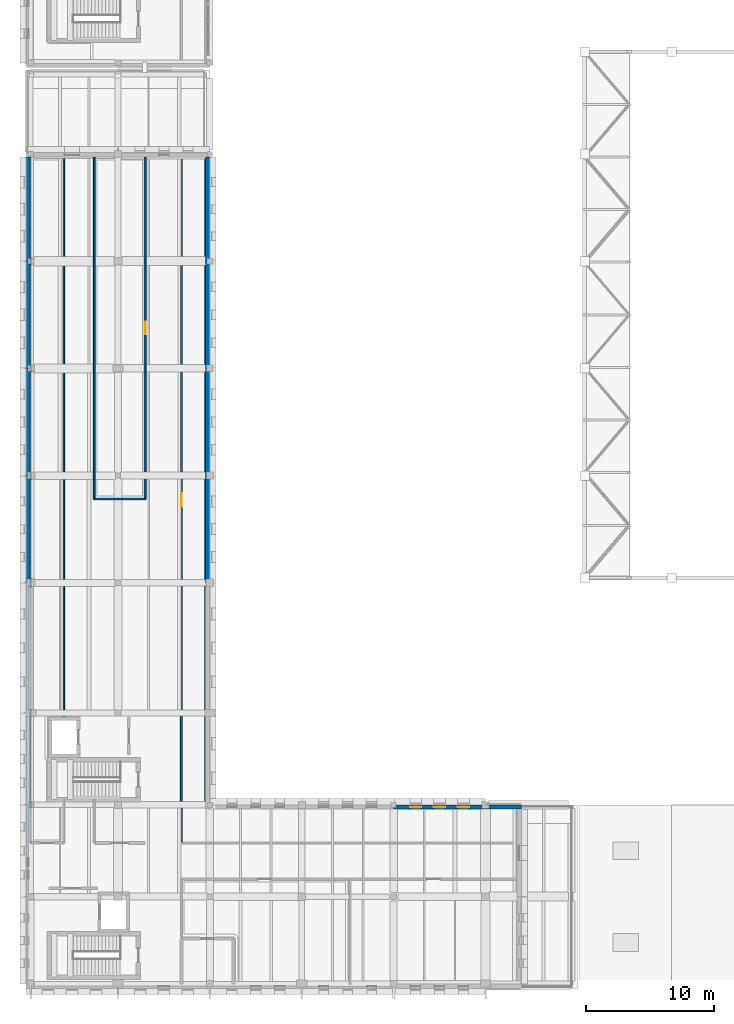
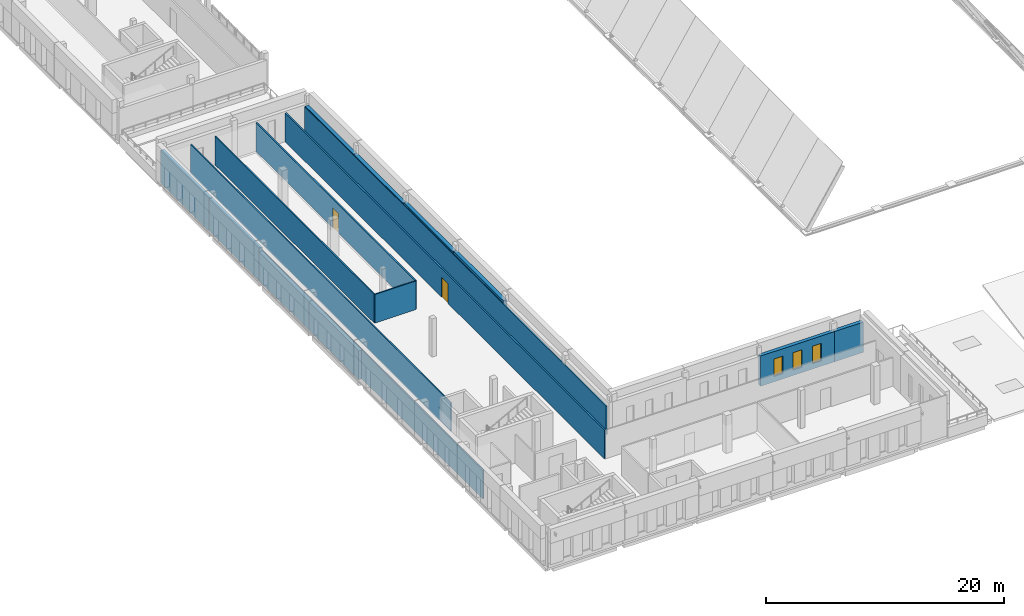
# One storey, part 38 of 56: 17 walls, 3 windows, 2 doors, 5 openings.
"""IFC4 building model written with IfcOpenShell, lengths in metres."""

from ifc_helpers import new_model, si_unit, direction, frame, frame_2d, origin, place, context, subcontext, project, spatial, rectangle, extrude, material, layer, layer_set, type_object, element, fill, save


model = new_model("IFC4")

# Units and contexts
model_context = context("Model", 3, precision=1e-05, world=origin(), true_north=direction((0.0, 1.0)))
body_context = subcontext(model_context, "Body", "Model", "MODEL_VIEW")
ifc_project = project(units=[si_unit("LENGTHUNIT", "METRE"), si_unit("AREAUNIT", "SQUARE_METRE"), si_unit("VOLUMEUNIT", "CUBIC_METRE"), si_unit("PLANEANGLEUNIT", "RADIAN"), si_unit("MASSUNIT", "GRAM", prefix="KILO")], contexts=[model_context])

# Site, building, storey
site_placement = place(None, origin())
site = spatial("IfcSite", under=ifc_project, at=site_placement, CompositionType="ELEMENT")
building_placement = place(site_placement, origin())
building = spatial("IfcBuilding", under=site, at=building_placement, Name="Vardoun Plaza Health Centre", CompositionType="ELEMENT")
storey_placement = place(building_placement, frame((0.0, 0.0, 8.699951171875)))
storey = spatial("IfcBuildingStorey", under=building, at=storey_placement, Name="L02", CompositionType="ELEMENT", Elevation=8.699951171875)

# Walls
ifc_material_1 = material(Name="Pale Limestone Concrete C35/45", Category="masonry")
ifc_layer_1 = layer(ifc_material_1, 0.344970703125)
ifc_layer_set_1 = layer_set([ifc_layer_1], Name="Pale Limestone Concrete C35/45")
wall_type_1 = type_object("IfcWallType", Name="EW-01", PredefinedType="SOLIDWALL", material=ifc_layer_set_1)
wall_1_placement = place(storey_placement, frame((18.7275390625, 69.655029296875, 0.0), z_axis=(0.0, 0.0, 1.0), x_axis=(0.0, -1.0, 0.0)))
element("IfcWall", 1, at=wall_1_placement, inside=storey, type_object=wall_type_1, Name="V2 L02 Exterior Wall EW-V2-128", PredefinedType="SOLIDWALL", context=body_context, shape_type="SweptSolid", body=[
    extrude(rectangle(XDim=8.155029296875, YDim=0.344970703125, at=frame_2d((4.07763671875, 0.0))), origin(), (0.0, 0.0, 1.0), 2.955078125),
])
wall_2_placement = place(storey_placement, frame((18.7275390625, 61.5, 0.0), z_axis=(0.0, 0.0, 1.0), x_axis=(0.0, -1.0, 0.0)))
element("IfcWall", 2, at=wall_2_placement, inside=storey, type_object=wall_type_1, Name="V2 L02 Exterior Wall EW-V2-129", PredefinedType="SOLIDWALL", context=body_context, shape_type="SweptSolid", body=[
    extrude(rectangle(XDim=8.39990234375, YDim=0.344970703125, at=frame_2d((4.199951171875, 0.0))), origin(), (0.0, 0.0, 1.0), 2.955078125),
])
wall_3_placement = place(storey_placement, frame((18.7275390625, 53.10009765625, 0.0), z_axis=(0.0, 0.0, 1.0), x_axis=(0.0, -1.0, 0.0)))
element("IfcWall", 3, at=wall_3_placement, inside=storey, type_object=wall_type_1, Name="V2 L02 Exterior Wall EW-V2-130", PredefinedType="SOLIDWALL", context=body_context, shape_type="SweptSolid", body=[
    extrude(rectangle(XDim=8.400146484375, YDim=0.344970703125, at=frame_2d((4.2001953125, 0.0))), origin(), (0.0, 0.0, 1.0), 3.10498046875),
])
wall_4_placement = place(storey_placement, frame((18.7275390625, 44.699951171875, 0.0), z_axis=(0.0, 0.0, 1.0), x_axis=(0.0, -1.0, 0.0)))
element("IfcWall", 4, at=wall_4_placement, inside=storey, type_object=wall_type_1, Name="V2 L02 Exterior Wall EW-V2-131", PredefinedType="SOLIDWALL", context=body_context, shape_type="SweptSolid", body=[
    extrude(rectangle(XDim=8.39990234375, YDim=0.344970703125, at=frame_2d((4.199951171875, 0.0))), origin(), (0.0, 0.0, 1.0), 3.18505859375),
])

# Wall, openings, windows
wall_5_placement = place(storey_placement, frame((33.300048828125, 18.7275390625, 0.0), z_axis=(0.0, 0.0, 1.0), x_axis=(1.0, 0.0, 0.0)))
wall_5 = element("IfcWall", 5, at=wall_5_placement, inside=storey, type_object=wall_type_1, Name="V2 L02 Exterior Wall EW-V2-136", PredefinedType="SOLIDWALL", context=body_context, shape_type="SweptSolid", body=[
    extrude(rectangle(XDim=7.199951171875, YDim=0.344970703125, at=frame_2d((3.60009765625, 0.0))), origin(), (0.0, 0.0, 1.0), 3.10498046875),
])
opening_1_placement = place(wall_5_placement, frame((1.2880859375, 0.0, 0.550048828125)))
opening_1 = element("IfcOpeningElement", 6, at=opening_1_placement, cuts=wall_5, Name="Opening W-28-004", PredefinedType="OPENING", context=body_context, shape_type="SweptSolid", body=[
    extrude(rectangle(XDim=0.8798828125, YDim=1.800048828125, at=frame_2d((0.43994140625, 0.89990234375))), frame((0.0, 0.17236328125, 0.0), z_axis=(0.0, -1.0, 0.0), x_axis=(1.0, 0.0, 0.0)), (0.0, 0.0, 1.0), 0.344970703125),
])
opening_2_placement = place(wall_5_placement, frame((3.159912109375, 0.0, 0.550048828125)))
opening_2 = element("IfcOpeningElement", 7, at=opening_2_placement, cuts=wall_5, Name="Opening W-28-005", PredefinedType="OPENING", context=body_context, shape_type="SweptSolid", body=[
    extrude(rectangle(XDim=0.8798828125, YDim=1.800048828125, at=frame_2d((0.43994140625, 0.89990234375))), frame((0.0, 0.17236328125, 0.0), z_axis=(0.0, -1.0, 0.0), x_axis=(1.0, 0.0, 0.0)), (0.0, 0.0, 1.0), 0.344970703125),
])
opening_3_placement = place(wall_5_placement, frame((5.031982421875, 0.0, 0.550048828125)))
opening_3 = element("IfcOpeningElement", 8, at=opening_3_placement, cuts=wall_5, Name="Opening W-28-006", PredefinedType="OPENING", context=body_context, shape_type="SweptSolid", body=[
    extrude(rectangle(XDim=0.8798828125, YDim=1.800048828125, at=frame_2d((0.43994140625, 0.89990234375))), frame((0.0, 0.17236328125, 0.0), z_axis=(0.0, -1.0, 0.0), x_axis=(1.0, 0.0, 0.0)), (0.0, 0.0, 1.0), 0.344970703125),
])
ifc_material_2 = material(Name="Aluminium Alloy EN AW-6063-T6 and Low-E Glass", Category="aluminium")
window_type = type_object("IfcWindowType", Name="W-28", PartitioningType="SINGLE_PANEL", PredefinedType="WINDOW", material=ifc_material_2)
window_1_placement = place(opening_1_placement, origin())
window_1 = element("IfcWindow", 9, at=window_1_placement, inside=storey, type_object=window_type, Name="V2 L02 Deep-Punched Slot Window W-28-133", OverallHeight=1.800048828125, OverallWidth=0.8798828125, PartitioningType="SINGLE_PANEL", PredefinedType="WINDOW", context=body_context, shape_type="SweptSolid", body=[
    extrude(rectangle(XDim=0.8798828125, YDim=1.800048828125, at=frame_2d((0.43994140625, 0.89990234375))), frame((0.0, 0.030029296875, 0.0), z_axis=(0.0, -1.0, 0.0), x_axis=(1.0, 0.0, 0.0)), (0.0, 0.0, 1.0), 0.06005859375),
])
fill(opening_1, window_1)
window_2_placement = place(opening_2_placement, origin())
window_2 = element("IfcWindow", 10, at=window_2_placement, inside=storey, type_object=window_type, Name="V2 L02 Deep-Punched Slot Window W-28-134", OverallHeight=1.800048828125, OverallWidth=0.8798828125, PartitioningType="SINGLE_PANEL", PredefinedType="WINDOW", context=body_context, shape_type="SweptSolid", body=[
    extrude(rectangle(XDim=0.8798828125, YDim=1.800048828125, at=frame_2d((0.43994140625, 0.89990234375))), frame((0.0, 0.030029296875, 0.0), z_axis=(0.0, -1.0, 0.0), x_axis=(1.0, 0.0, 0.0)), (0.0, 0.0, 1.0), 0.06005859375),
])
fill(opening_2, window_2)
window_3_placement = place(opening_3_placement, origin())
window_3 = element("IfcWindow", 11, at=window_3_placement, inside=storey, type_object=window_type, Name="V2 L02 Deep-Punched Slot Window W-28-135", OverallHeight=1.800048828125, OverallWidth=0.8798828125, PartitioningType="SINGLE_PANEL", PredefinedType="WINDOW", context=body_context, shape_type="SweptSolid", body=[
    extrude(rectangle(XDim=0.8798828125, YDim=1.800048828125, at=frame_2d((0.43994140625, 0.89990234375))), frame((0.0, 0.030029296875, 0.0), z_axis=(0.0, -1.0, 0.0), x_axis=(1.0, 0.0, 0.0)), (0.0, 0.0, 1.0), 0.06005859375),
])
fill(opening_3, window_3)

# Walls
wall_6_placement = place(storey_placement, frame((40.5, 18.7275390625, 0.0), z_axis=(0.0, 0.0, 1.0), x_axis=(1.0, 0.0, 0.0)))
element("IfcWall", 12, at=wall_6_placement, inside=storey, type_object=wall_type_1, Name="V2 L02 Exterior Wall EW-V2-137", PredefinedType="SOLIDWALL", context=body_context, shape_type="SweptSolid", body=[
    extrude(rectangle(XDim=2.800048828125, YDim=0.344970703125, at=frame_2d((1.39990234375, 0.0))), origin(), (0.0, 0.0, 1.0), 3.10498046875),
])
wall_7_placement = place(storey_placement, frame((4.672607421875, 36.300048828125, 0.0), z_axis=(0.0, 0.0, 1.0), x_axis=(0.0, 1.0, 0.0)))
element("IfcWall", 13, at=wall_7_placement, inside=storey, type_object=wall_type_1, Name="V2 L02 Exterior Wall EW-V2-150", PredefinedType="SOLIDWALL", context=body_context, shape_type="SweptSolid", body=[
    extrude(rectangle(XDim=8.39990234375, YDim=0.344970703125, at=frame_2d((4.199951171875, 0.0))), origin(), (0.0, 0.0, 1.0), 2.955078125),
])
wall_8_placement = place(storey_placement, frame((4.672607421875, 44.699951171875, 0.0), z_axis=(0.0, 0.0, 1.0), x_axis=(0.0, 1.0, 0.0)))
element("IfcWall", 14, at=wall_8_placement, inside=storey, type_object=wall_type_1, Name="V2 L02 Exterior Wall EW-V2-151", PredefinedType="SOLIDWALL", context=body_context, shape_type="SweptSolid", body=[
    extrude(rectangle(XDim=8.400146484375, YDim=0.344970703125, at=frame_2d((4.2001953125, 0.0))), origin(), (0.0, 0.0, 1.0), 2.955078125),
])
wall_9_placement = place(storey_placement, frame((4.672607421875, 53.10009765625, 0.0), z_axis=(0.0, 0.0, 1.0), x_axis=(0.0, 1.0, 0.0)))
element("IfcWall", 15, at=wall_9_placement, inside=storey, type_object=wall_type_1, Name="V2 L02 Exterior Wall EW-V2-152", PredefinedType="SOLIDWALL", context=body_context, shape_type="SweptSolid", body=[
    extrude(rectangle(XDim=8.39990234375, YDim=0.344970703125, at=frame_2d((4.199951171875, 0.0))), origin(), (0.0, 0.0, 1.0), 3.324951171875),
])
wall_10_placement = place(storey_placement, frame((4.672607421875, 61.5, 0.0), z_axis=(0.0, 0.0, 1.0), x_axis=(0.0, 1.0, 0.0)))
element("IfcWall", 16, at=wall_10_placement, inside=storey, type_object=wall_type_1, Name="V2 L02 Exterior Wall EW-V2-153", PredefinedType="SOLIDWALL", context=body_context, shape_type="SweptSolid", body=[
    extrude(rectangle(XDim=8.155029296875, YDim=0.344970703125, at=frame_2d((4.07763671875, 0.0))), origin(), (0.0, 0.0, 1.0), 3.35498046875),
])

# Wall, opening, door
ifc_material_3 = material(Name="Acoustic Gypsum Twin-Stud", Category="steel")
ifc_layer_2 = layer(ifc_material_3, 0.14990234375)
ifc_layer_set_2 = layer_set([ifc_layer_2], Name="Acoustic Gypsum Twin-Stud")
wall_type_2 = type_object("IfcWallType", Name="IW-04", PredefinedType="PARTITIONING", material=ifc_layer_set_2)
wall_11_placement = place(storey_placement, frame((16.669921875, 15.919921875, 0.0), z_axis=(0.0, 0.0, 1.0), x_axis=(0.0, 1.0, 0.0)))
wall_11 = element("IfcWall", 17, at=wall_11_placement, inside=storey, type_object=wall_type_2, Name="Specialist Consulting Room 21 Partition Wall", PredefinedType="PARTITIONING", context=body_context, shape_type="SweptSolid", body=[
    extrude(rectangle(XDim=53.72998046875, YDim=0.14990234375, at=frame_2d((26.864990234375, 0.0))), origin(), (0.0, 0.0, 1.0), 2.93994140625),
])
opening_4_placement = place(wall_11_placement, frame((26.344970703125, 0.0, 0.0)))
opening_4 = element("IfcOpeningElement", 18, at=opening_4_placement, cuts=wall_11, Name="Opening D-L02-045", PredefinedType="OPENING", context=body_context, shape_type="SweptSolid", body=[
    extrude(rectangle(XDim=1.0400390625, YDim=2.050048828125, at=frame_2d((0.52001953125, 1.02490234375))), frame((0.0, 0.074951171875, 0.0), z_axis=(0.0, -1.0, 0.0), x_axis=(1.0, 0.0, 0.0)), (0.0, 0.0, 1.0), 0.14990234375),
])
ifc_material_4 = material(Name="Antimicrobial Acoustic Timber and Steel S275JR", Category="steel")
door_type_1 = type_object("IfcDoorType", Name="CD-04", OperationType="NOTDEFINED", PredefinedType="DOOR", material=ifc_material_4)
door_1_placement = place(opening_4_placement, origin())
door_1 = element("IfcDoor", 19, at=door_1_placement, inside=storey, type_object=door_type_1, Name="Specialist Consulting Room 21 Door D-L02-045", OperationType="SINGLE_SWING_LEFT", OverallHeight=2.050048828125, OverallWidth=1.0400390625, PredefinedType="DOOR", context=body_context, shape_type="SweptSolid", body=[
    extrude(rectangle(XDim=1.0400390625, YDim=2.050048828125, at=frame_2d((0.52001953125, 1.02490234375))), frame((0.0, 0.02490234375, 0.0), z_axis=(0.0, -1.0, 0.0), x_axis=(1.0, 0.0, 0.0)), (0.0, 0.0, 1.0), 0.050048828125),
])
fill(opening_4, door_1)

wall_12_placement = place(storey_placement, frame((13.830078125, 69.64990234375, 0.0), z_axis=(0.0, 0.0, 1.0), x_axis=(0.0, -1.0, 0.0)))
wall_12 = element("IfcWall", 20, at=wall_12_placement, inside=storey, type_object=wall_type_2, Name="Dermatology Minor Procedure Room Partition Wall", PredefinedType="PARTITIONING", context=body_context, shape_type="SweptSolid", body=[
    extrude(rectangle(XDim=26.784912109375, YDim=0.14990234375, at=frame_2d((13.392578125, 0.0))), origin(), (0.0, 0.0, 1.0), 2.93994140625),
])
opening_5_placement = place(wall_12_placement, frame((12.892578125, 0.0, 0.0)))
opening_5 = element("IfcOpeningElement", 21, at=opening_5_placement, cuts=wall_12, Name="Opening D-L02-048", PredefinedType="OPENING", context=body_context, shape_type="SweptSolid", body=[
    extrude(rectangle(XDim=1.0, YDim=2.050048828125, at=frame_2d((0.5, 1.02490234375))), frame((0.0, 0.074951171875, 0.0), z_axis=(0.0, -1.0, 0.0), x_axis=(1.0, 0.0, 0.0)), (0.0, 0.0, 1.0), 0.14990234375),
])
ifc_material_5 = material(Name="Antimicrobial Acoustic Timber and Steel S275JR", Category="steel")
door_type_2 = type_object("IfcDoorType", Name="CD-03", OperationType="NOTDEFINED", PredefinedType="DOOR", material=ifc_material_5)
door_2_placement = place(opening_5_placement, origin())
door_2 = element("IfcDoor", 22, at=door_2_placement, inside=storey, type_object=door_type_2, Name="Dermatology Minor Procedure Room Door D-L02-048", OperationType="SINGLE_SWING_RIGHT", OverallHeight=2.050048828125, OverallWidth=1.0, PredefinedType="DOOR", context=body_context, shape_type="SweptSolid", body=[
    extrude(rectangle(XDim=1.0, YDim=2.050048828125, at=frame_2d((0.5, 1.02490234375))), frame((0.0, 0.02490234375, 0.0), z_axis=(0.0, -1.0, 0.0), x_axis=(1.0, 0.0, 0.0)), (0.0, 0.0, 1.0), 0.050048828125),
])
fill(opening_5, door_2)

# Walls
ifc_material_6 = material(Name="Standard Clinical Sub-Partition", Category="steel")
ifc_layer_3 = layer(ifc_material_6, 0.125)
ifc_layer_set_3 = layer_set([ifc_layer_3], Name="Standard Clinical Sub-Partition")
wall_type_3 = type_object("IfcWallType", Name="IW-11", PredefinedType="PARTITIONING", material=ifc_layer_set_3)
wall_13_placement = place(storey_placement, frame((18.550048828125, 69.64990234375, 0.0), z_axis=(0.0, 0.0, 1.0), x_axis=(0.0, -1.0, 0.0)))
element("IfcWall", 23, at=wall_13_placement, inside=storey, type_object=wall_type_3, Name="Specialist Consulting Room 21 Enclosure Partition", PredefinedType="PARTITIONING", context=body_context, shape_type="SweptSolid", body=[
    extrude(rectangle(XDim=50.75, YDim=0.125, at=frame_2d((25.375, 0.0))), origin(), (0.0, 0.0, 1.0), 2.93994140625),
])
wall_14_placement = place(storey_placement, frame((7.4599609375, 69.64990234375, 0.0), z_axis=(0.0, 0.0, 1.0), x_axis=(0.0, -1.0, 0.0)))
element("IfcWall", 24, at=wall_14_placement, inside=storey, type_object=wall_type_3, Name="Specialist Consulting Room 22 Enclosure Partition", PredefinedType="PARTITIONING", context=body_context, shape_type="SweptSolid", body=[
    extrude(rectangle(XDim=43.7998046875, YDim=0.125, at=frame_2d((21.89990234375, 0.0))), origin(), (0.0, 0.0, 1.0), 2.93994140625),
])
wall_15_placement = place(storey_placement, frame((4.85009765625, 15.919921875, 0.0), z_axis=(0.0, 0.0, 1.0), x_axis=(0.0, 1.0, 0.0)))
element("IfcWall", 25, at=wall_15_placement, inside=storey, type_object=wall_type_3, Name="Specialist Consulting Room 22 Enclosure Partition", PredefinedType="PARTITIONING", context=body_context, shape_type="SweptSolid", body=[
    extrude(rectangle(XDim=53.72998046875, YDim=0.125, at=frame_2d((26.864990234375, 0.0))), origin(), (0.0, 0.0, 1.0), 2.93994140625),
])
wall_16_placement = place(storey_placement, frame((13.830078125, 42.864990234375, 0.0), z_axis=(0.0, 0.0, 1.0), x_axis=(-1.0, 0.0, 0.0)))
element("IfcWall", 26, at=wall_16_placement, inside=storey, type_object=wall_type_3, Name="Dermatology Minor Procedure Room Enclosure Partition", PredefinedType="PARTITIONING", context=body_context, shape_type="SweptSolid", body=[
    extrude(rectangle(XDim=3.989990234375, YDim=0.125, at=frame_2d((1.9951171875, 0.0))), origin(), (0.0, 0.0, 1.0), 2.93994140625),
])
wall_17_placement = place(storey_placement, frame((9.840087890625, 42.864990234375, 0.0), z_axis=(0.0, 0.0, 1.0), x_axis=(0.0, 1.0, 0.0)))
element("IfcWall", 27, at=wall_17_placement, inside=storey, type_object=wall_type_3, Name="Dermatology Minor Procedure Room Enclosure Partition", PredefinedType="PARTITIONING", context=body_context, shape_type="SweptSolid", body=[
    extrude(rectangle(XDim=26.784912109375, YDim=0.125, at=frame_2d((13.392578125, 0.0))), origin(), (0.0, 0.0, 1.0), 2.93994140625),
])

save(model, "model.ifc")
